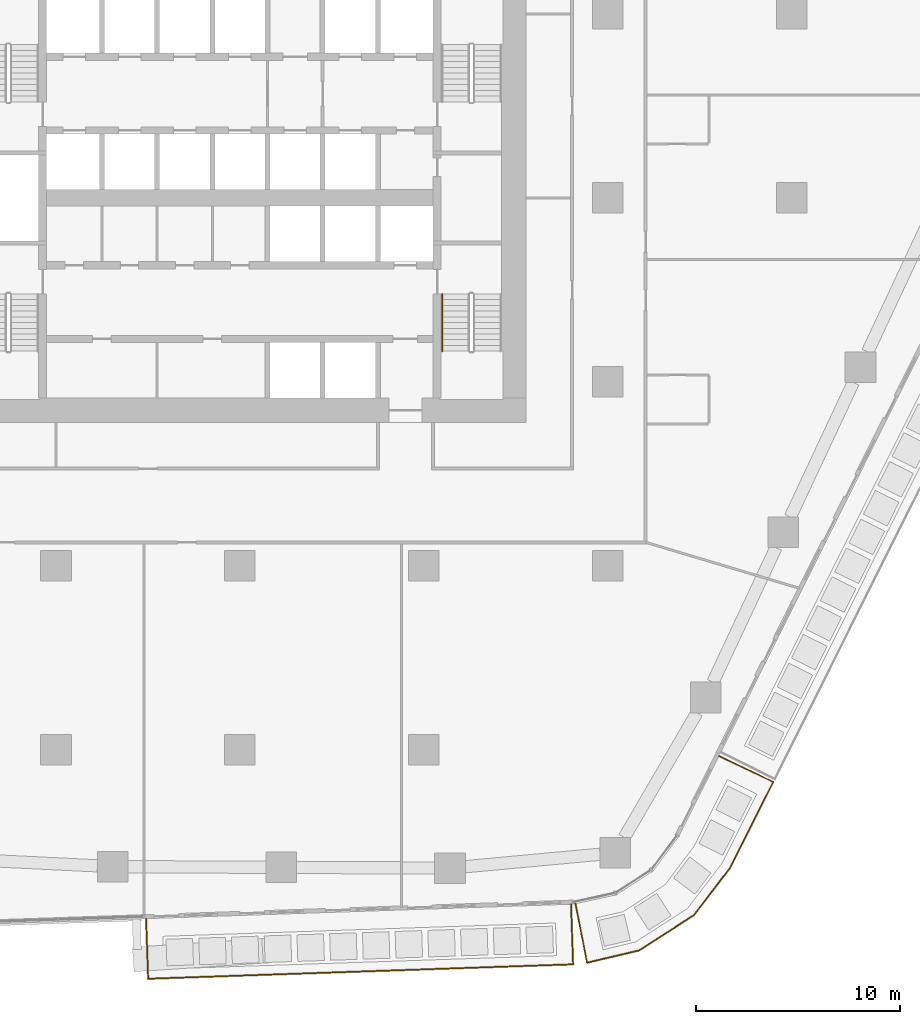
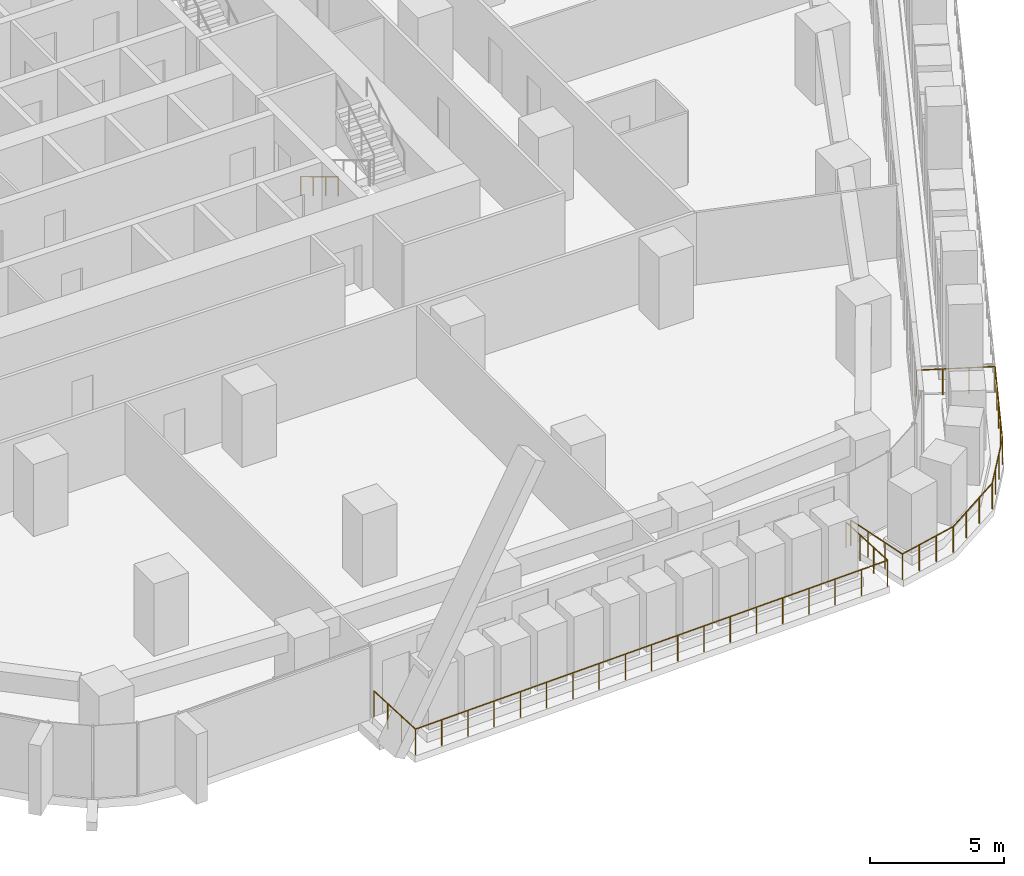
# One storey, part 21 of 26: 3 railings.
"""IFC4 building model written with IfcOpenShell, lengths in metres."""

from ifc_helpers import new_model, si_unit, direction, frame, origin, origin_2d, place, context, subcontext, project, spatial, circle, extrude, material, type_object, element, save


model = new_model("IFC4")

# Units and contexts
model_context = context("Model", 3, precision=1e-05, world=origin(), true_north=direction((0.0, 1.0)))
body_context = subcontext(model_context, "Body", "Model", "MODEL_VIEW")
ifc_project = project(units=[si_unit("LENGTHUNIT", "METRE"), si_unit("AREAUNIT", "SQUARE_METRE"), si_unit("VOLUMEUNIT", "CUBIC_METRE"), si_unit("PLANEANGLEUNIT", "RADIAN"), si_unit("MASSUNIT", "GRAM", prefix="KILO")], contexts=[model_context])

# Site, building, storey
site_placement = place(None, origin())
site = spatial("IfcSite", under=ifc_project, at=site_placement, CompositionType="ELEMENT")
building_placement = place(site_placement, origin())
building = spatial("IfcBuilding", under=site, at=building_placement, Name="Dongbaek Canopy Tower", CompositionType="ELEMENT")
storey_placement = place(building_placement, frame((0.0, 0.0, 73.60009765625)))
storey = spatial("IfcBuildingStorey", under=building, at=storey_placement, Name="L14", CompositionType="ELEMENT", Elevation=73.60009765625)

# Railings
ifc_material_1 = material(Name="Stainless steel", Category="steel")
railing_type_1 = type_object("IfcRailingType", Name="Balcony balustrade 1200", PredefinedType="BALUSTRADE", material=ifc_material_1)
railing_1_placement = place(storey_placement, frame((-4.589111328125, -35.263916015625, 0.0)))
element("IfcRailing", 1, at=railing_1_placement, inside=storey, type_object=railing_type_1, Name="Balcony guard L14 4", PredefinedType="BALUSTRADE", context=body_context, shape_type="SweptSolid", body=[
    extrude(circle(Radius=0.02392578125, at=origin_2d()), frame((0.0, 0.0, 1.17578125), z_axis=(0.033964605058, -0.999423036358, 0.0), x_axis=(0.999423036358, 0.033964605058, 0.0)), (0.0, 0.0, 1.0), 2.93994140625),
    extrude(circle(Radius=0.02392578125, at=origin_2d()), frame((0.099853515625, -2.938232421875, 1.17578125), z_axis=(0.999424133767, 0.033932297953, 0.0), x_axis=(-0.033932297953, 0.999424133767, 0.0)), (0.0, 0.0, 1.0), 20.800537109375),
    extrude(circle(Radius=0.02392578125, at=origin_2d()), frame((20.888427734375, -2.232421875, 1.17578125), z_axis=(-0.033964605058, 0.999423036358, 0.0), x_axis=(-0.999423036358, -0.033964605058, 0.0)), (0.0, 0.0, 1.0), 2.93994140625),
    extrude(circle(Radius=0.02099609375, at=origin_2d()), origin(), (0.0, 0.0, 1.0), 1.15185546875),
    extrude(circle(Radius=0.02099609375, at=origin_2d()), frame((0.033203125, -0.9794921875, 0.0)), (0.0, 0.0, 1.0), 1.15185546875),
    extrude(circle(Radius=0.02099609375, at=origin_2d()), frame((0.066650390625, -1.958740234375, 0.0)), (0.0, 0.0, 1.0), 1.15185546875),
    extrude(circle(Radius=0.02099609375, at=origin_2d()), frame((0.099853515625, -2.938232421875, 0.0)), (0.0, 0.0, 1.0), 1.15185546875),
    extrude(circle(Radius=0.02099609375, at=origin_2d()), frame((1.2548828125, -2.89892578125, 0.0)), (0.0, 0.0, 1.0), 1.15185546875),
    extrude(circle(Radius=0.02099609375, at=origin_2d()), frame((2.40966796875, -2.85986328125, 0.0)), (0.0, 0.0, 1.0), 1.15185546875),
    extrude(circle(Radius=0.02099609375, at=origin_2d()), frame((3.564697265625, -2.820556640625, 0.0)), (0.0, 0.0, 1.0), 1.15185546875),
    extrude(circle(Radius=0.02099609375, at=origin_2d()), frame((4.719482421875, -2.781494140625, 0.0)), (0.0, 0.0, 1.0), 1.15185546875),
    extrude(circle(Radius=0.02099609375, at=origin_2d()), frame((5.87451171875, -2.7421875, 0.0)), (0.0, 0.0, 1.0), 1.15185546875),
    extrude(circle(Radius=0.02099609375, at=origin_2d()), frame((7.029296875, -2.702880859375, 0.0)), (0.0, 0.0, 1.0), 1.15185546875),
    extrude(circle(Radius=0.02099609375, at=origin_2d()), frame((8.184326171875, -2.663818359375, 0.0)), (0.0, 0.0, 1.0), 1.15185546875),
    extrude(circle(Radius=0.02099609375, at=origin_2d()), frame((9.339111328125, -2.62451171875, 0.0)), (0.0, 0.0, 1.0), 1.15185546875),
    extrude(circle(Radius=0.02099609375, at=origin_2d()), frame((10.494140625, -2.58544921875, 0.0)), (0.0, 0.0, 1.0), 1.15185546875),
    extrude(circle(Radius=0.02099609375, at=origin_2d()), frame((11.649169921875, -2.546142578125, 0.0)), (0.0, 0.0, 1.0), 1.15185546875),
    extrude(circle(Radius=0.02099609375, at=origin_2d()), frame((12.803955078125, -2.5068359375, 0.0)), (0.0, 0.0, 1.0), 1.15185546875),
    extrude(circle(Radius=0.02099609375, at=origin_2d()), frame((13.958984375, -2.4677734375, 0.0)), (0.0, 0.0, 1.0), 1.15185546875),
    extrude(circle(Radius=0.02099609375, at=origin_2d()), frame((15.11376953125, -2.428466796875, 0.0)), (0.0, 0.0, 1.0), 1.15185546875),
    extrude(circle(Radius=0.02099609375, at=origin_2d()), frame((16.268798828125, -2.38916015625, 0.0)), (0.0, 0.0, 1.0), 1.15185546875),
    extrude(circle(Radius=0.02099609375, at=origin_2d()), frame((17.423583984375, -2.35009765625, 0.0)), (0.0, 0.0, 1.0), 1.15185546875),
    extrude(circle(Radius=0.02099609375, at=origin_2d()), frame((18.57861328125, -2.310791015625, 0.0)), (0.0, 0.0, 1.0), 1.15185546875),
    extrude(circle(Radius=0.02099609375, at=origin_2d()), frame((19.7333984375, -2.271728515625, 0.0)), (0.0, 0.0, 1.0), 1.15185546875),
    extrude(circle(Radius=0.02099609375, at=origin_2d()), frame((20.888427734375, -2.232421875, 0.0)), (0.0, 0.0, 1.0), 1.15185546875),
    extrude(circle(Radius=0.02099609375, at=origin_2d()), frame((20.855224609375, -1.2529296875, 0.0)), (0.0, 0.0, 1.0), 1.15185546875),
    extrude(circle(Radius=0.02099609375, at=origin_2d()), frame((20.82177734375, -0.273681640625, 0.0)), (0.0, 0.0, 1.0), 1.15185546875),
    extrude(circle(Radius=0.02099609375, at=origin_2d()), frame((20.78857421875, 0.705810546875, 0.0)), (0.0, 0.0, 1.0), 1.15185546875),
])
railing_2_placement = place(storey_placement, frame((16.4169921875, -34.53125, 0.0)))
element("IfcRailing", 2, at=railing_2_placement, inside=storey, type_object=railing_type_1, Name="Balcony guard L14 8", PredefinedType="BALUSTRADE", context=body_context, shape_type="SweptSolid", body=[
    extrude(circle(Radius=0.02392578125, at=origin_2d()), frame((0.0, 0.0, 1.17578125), z_axis=(0.191371856192, -0.981517606901, 0.0), x_axis=(0.981517606901, 0.191371856192, 0.0)), (0.0, 0.0, 1.0), 2.940673828125),
    extrude(circle(Radius=0.02392578125, at=origin_2d()), frame((0.562744140625, -2.88623046875, 1.17578125), z_axis=(0.973441692386, 0.228935081464, 0.0), x_axis=(-0.228935081464, 0.973441692386, 0.0)), (0.0, 0.0, 1.0), 2.610595703125),
    extrude(circle(Radius=0.02392578125, at=origin_2d()), frame((3.10400390625, -2.28857421875, 1.17578125), z_axis=(0.841367778645, 0.540463006188, 0.0), x_axis=(-0.540463006188, 0.841367778645, 0.0)), (0.0, 0.0, 1.0), 3.183837890625),
    extrude(circle(Radius=0.02392578125, at=origin_2d()), frame((5.78271484375, -0.56787109375, 1.17578125), z_axis=(0.608252688923, 0.79374345126, 0.0), x_axis=(-0.79374345126, 0.608252688923, 0.0)), (0.0, 0.0, 1.0), 2.92333984375),
    extrude(circle(Radius=0.02392578125, at=origin_2d()), frame((7.560791015625, 1.75244140625, 1.17578125), z_axis=(0.448663484014, 0.893700776609, 0.0), x_axis=(-0.893700776609, 0.448663484014, 0.0)), (0.0, 0.0, 1.0), 4.712890625),
    extrude(circle(Radius=0.02392578125, at=origin_2d()), frame((9.67529296875, 5.96435546875, 1.17578125), z_axis=(-0.903754742696, 0.428050657114, 0.0), x_axis=(-0.428050657114, -0.903754742696, 0.0)), (0.0, 0.0, 1.0), 2.940673828125),
    extrude(circle(Radius=0.02099609375, at=origin_2d()), origin(), (0.0, 0.0, 1.0), 1.15185546875),
    extrude(circle(Radius=0.02099609375, at=origin_2d()), frame((0.1875, -0.962158203125, 0.0)), (0.0, 0.0, 1.0), 1.15185546875),
    extrude(circle(Radius=0.02099609375, at=origin_2d()), frame((0.375244140625, -1.924072265625, 0.0)), (0.0, 0.0, 1.0), 1.15185546875),
    extrude(circle(Radius=0.02099609375, at=origin_2d()), frame((0.562744140625, -2.88623046875, 0.0)), (0.0, 0.0, 1.0), 1.15185546875),
    extrude(circle(Radius=0.02099609375, at=origin_2d()), frame((1.409912109375, -2.68701171875, 0.0)), (0.0, 0.0, 1.0), 1.15185546875),
    extrude(circle(Radius=0.02099609375, at=origin_2d()), frame((2.2568359375, -2.48779296875, 0.0)), (0.0, 0.0, 1.0), 1.15185546875),
    extrude(circle(Radius=0.02099609375, at=origin_2d()), frame((3.10400390625, -2.28857421875, 0.0)), (0.0, 0.0, 1.0), 1.15185546875),
    extrude(circle(Radius=0.02099609375, at=origin_2d()), frame((3.996826171875, -1.715087890625, 0.0)), (0.0, 0.0, 1.0), 1.15185546875),
    extrude(circle(Radius=0.02099609375, at=origin_2d()), frame((4.889892578125, -1.141357421875, 0.0)), (0.0, 0.0, 1.0), 1.15185546875),
    extrude(circle(Radius=0.02099609375, at=origin_2d()), frame((5.78271484375, -0.56787109375, 0.0)), (0.0, 0.0, 1.0), 1.15185546875),
    extrude(circle(Radius=0.02099609375, at=origin_2d()), frame((6.37548828125, 0.20556640625, 0.0)), (0.0, 0.0, 1.0), 1.15185546875),
    extrude(circle(Radius=0.02099609375, at=origin_2d()), frame((6.968017578125, 0.97900390625, 0.0)), (0.0, 0.0, 1.0), 1.15185546875),
    extrude(circle(Radius=0.02099609375, at=origin_2d()), frame((7.560791015625, 1.75244140625, 0.0)), (0.0, 0.0, 1.0), 1.15185546875),
    extrude(circle(Radius=0.02099609375, at=origin_2d()), frame((8.08935546875, 2.805419921875, 0.0)), (0.0, 0.0, 1.0), 1.15185546875),
    extrude(circle(Radius=0.02099609375, at=origin_2d()), frame((8.6181640625, 3.8583984375, 0.0)), (0.0, 0.0, 1.0), 1.15185546875),
    extrude(circle(Radius=0.02099609375, at=origin_2d()), frame((9.146728515625, 4.911376953125, 0.0)), (0.0, 0.0, 1.0), 1.15185546875),
    extrude(circle(Radius=0.02099609375, at=origin_2d()), frame((9.67529296875, 5.96435546875, 0.0)), (0.0, 0.0, 1.0), 1.15185546875),
    extrude(circle(Radius=0.02099609375, at=origin_2d()), frame((8.789306640625, 6.384033203125, 0.0)), (0.0, 0.0, 1.0), 1.15185546875),
    extrude(circle(Radius=0.02099609375, at=origin_2d()), frame((7.903564453125, 6.803466796875, 0.0)), (0.0, 0.0, 1.0), 1.15185546875),
    extrude(circle(Radius=0.02099609375, at=origin_2d()), frame((7.017578125, 7.22314453125, 0.0)), (0.0, 0.0, 1.0), 1.15185546875),
])
ifc_material_2 = material(Name="Stainless steel tube", Category="steel")
railing_type_2 = type_object("IfcRailingType", Name="Stair handrail 900", PredefinedType="HANDRAIL", material=ifc_material_2)
railing_3_placement = place(storey_placement, frame((9.89990234375, -4.699951171875, 0.16796875)))
element("IfcRailing", 3, at=railing_3_placement, inside=storey, type_object=railing_type_2, Name="L14 ST-B stair handrail 1", PredefinedType="HANDRAIL", context=body_context, shape_type="SweptSolid", body=[
    extrude(circle(Radius=0.02392578125, at=origin_2d()), frame((0.0, 0.0, 0.8759765625), z_axis=(0.0, -0.857242210791, 0.514913383045), x_axis=(1.0, 0.0, 0.0)), (0.0, 0.0, 1.0), 3.266357421875),
    extrude(circle(Radius=0.02099609375, at=origin_2d()), origin(), (0.0, 0.0, 1.0), 0.851806640625),
    extrude(circle(Radius=0.02099609375, at=origin_2d()), frame((0.0, -0.933349609375, 0.560546875)), (0.0, 0.0, 1.0), 0.851806640625),
    extrude(circle(Radius=0.02099609375, at=origin_2d()), frame((0.0, -1.86669921875, 1.121337890625)), (0.0, 0.0, 1.0), 0.851806640625),
    extrude(circle(Radius=0.02099609375, at=origin_2d()), frame((0.0, -2.800048828125, 1.681884765625)), (0.0, 0.0, 1.0), 0.851806640625),
])

save(model, "model.ifc")
